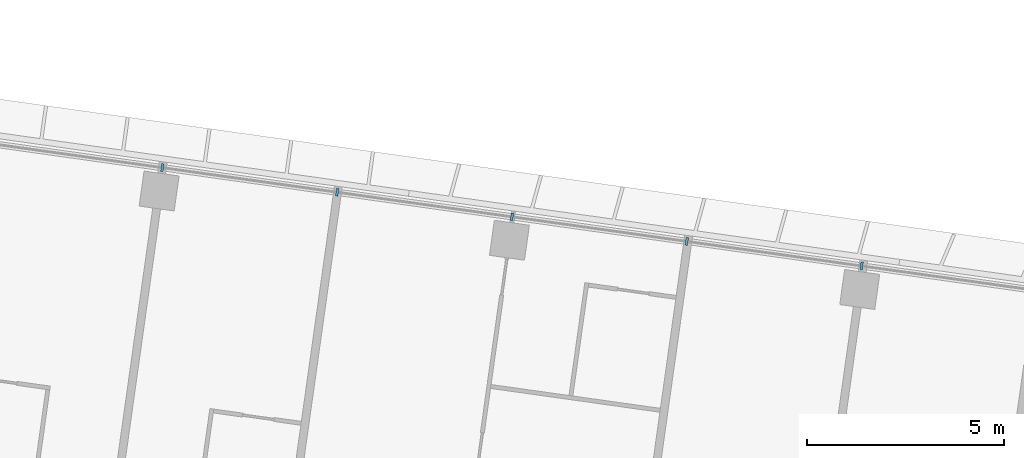
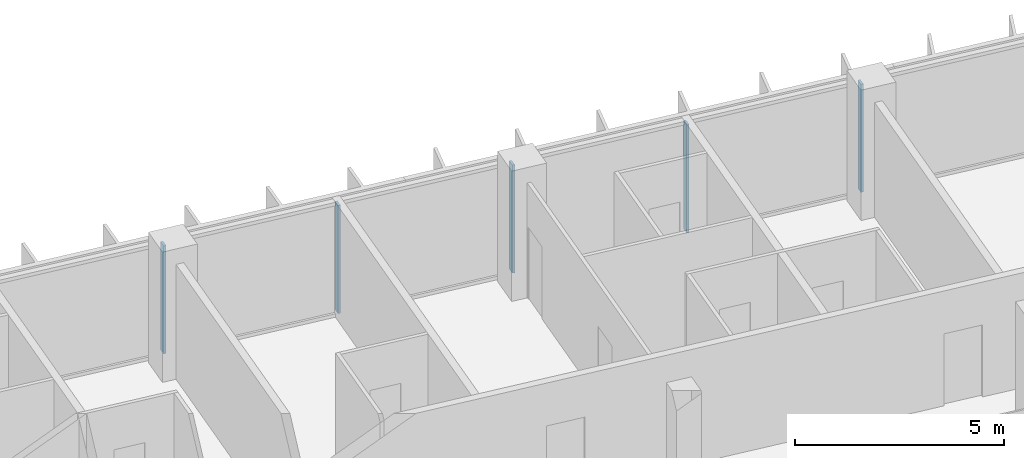
# One storey, part 5 of 26: 5 members, 1 element without a shape of its own.
"""IFC4 building model written with IfcOpenShell, lengths in metres."""

from ifc_helpers import new_model, si_unit, direction, frame, origin, origin_2d, place, context, subcontext, project, spatial, rectangle, extrude, material, material_profile, profile_set, type_object, element, aggregate, save


model = new_model("IFC4")

# Units and contexts
model_context = context("Model", 3, precision=1e-05, world=origin(), true_north=direction((0.0, 1.0)))
body_context = subcontext(model_context, "Body", "Model", "MODEL_VIEW")
ifc_project = project(units=[si_unit("LENGTHUNIT", "METRE"), si_unit("AREAUNIT", "SQUARE_METRE"), si_unit("VOLUMEUNIT", "CUBIC_METRE"), si_unit("PLANEANGLEUNIT", "RADIAN"), si_unit("MASSUNIT", "GRAM", prefix="KILO")], contexts=[model_context])

# Site, building, storey
site_placement = place(None, origin())
site = spatial("IfcSite", under=ifc_project, at=site_placement, CompositionType="ELEMENT")
building_placement = place(site_placement, origin())
building = spatial("IfcBuilding", under=site, at=building_placement, Name="Mirante Cascada Hotel Towers", CompositionType="ELEMENT")
storey_placement = place(building_placement, frame((0.0, 0.0, 140.5)))
storey = spatial("IfcBuildingStorey", under=building, at=storey_placement, Name="L32", CompositionType="ELEMENT", Elevation=140.5)

# Curtain wall, members
ifc_material_1 = material(Name="Aluminium mullion and transom frame with clear laminated glass", Category="aluminium")
curtain_wall_type = type_object("IfcCurtainWallType", Name="Ribbon curtain wall ECW1", PredefinedType="NOTDEFINED", material=ifc_material_1)
curtain_wall_placement = place(storey_placement, origin())
curtain_wall = element("IfcCurtainWall", 1, at=curtain_wall_placement, inside=storey, type_object=curtain_wall_type, Name="Front ribbon wall T1 L32", PredefinedType="NOTDEFINED")
ifc_material_2 = material(Name="Anodised aluminium extrusion", Category="aluminium")
ifc_material_profile = material_profile(ifc_material_2, rectangle(XDim=0.2, YDim=0.065, at=origin_2d()), Name="ECW1 MULLION 65x200")
ifc_profile_set = profile_set([ifc_material_profile], Name="Anodised aluminium extrusion")
member_type = type_object("IfcMemberType", Name="ECW1 mullion 65x200", PredefinedType="MULLION", material=ifc_profile_set)
member_1_placement = place(storey_placement, frame((-63.0262, 21.6768, 0.1), z_axis=(0.0, 0.0, 1.0), x_axis=(0.1391731, 0.9902681, 0.0)))
member_1 = element("IfcMember", 2, at=member_1_placement, type_object=member_type, Name="ECW1 mullion 8", PredefinedType="MULLION", context=body_context, shape_type="SweptSolid", body=[
    extrude(rectangle(XDim=0.2, YDim=0.065, at=origin_2d()), origin(), (0.0, 0.0, 1.0), 3.15),
])
member_2_placement = place(storey_placement, frame((-58.5788, 21.0517, 0.1), z_axis=(0.0, 0.0, 1.0), x_axis=(0.1391731, 0.9902681, 0.0)))
member_2 = element("IfcMember", 3, at=member_2_placement, type_object=member_type, Name="ECW1 mullion 9", PredefinedType="MULLION", context=body_context, shape_type="SweptSolid", body=[
    extrude(rectangle(XDim=0.2, YDim=0.065, at=origin_2d()), origin(), (0.0, 0.0, 1.0), 3.15),
])
member_3_placement = place(storey_placement, frame((-54.1314, 20.4267, 0.1), z_axis=(0.0, 0.0, 1.0), x_axis=(0.1391731, 0.9902681, 0.0)))
member_3 = element("IfcMember", 4, at=member_3_placement, type_object=member_type, Name="ECW1 mullion 10", PredefinedType="MULLION", context=body_context, shape_type="SweptSolid", body=[
    extrude(rectangle(XDim=0.2, YDim=0.065, at=origin_2d()), origin(), (0.0, 0.0, 1.0), 3.15),
])
member_4_placement = place(storey_placement, frame((-49.684, 19.8017, 0.1), z_axis=(0.0, 0.0, 1.0), x_axis=(0.1391731, 0.9902681, 0.0)))
member_4 = element("IfcMember", 5, at=member_4_placement, type_object=member_type, Name="ECW1 mullion 11", PredefinedType="MULLION", context=body_context, shape_type="SweptSolid", body=[
    extrude(rectangle(XDim=0.2, YDim=0.065, at=origin_2d()), origin(), (0.0, 0.0, 1.0), 3.15),
])
member_5_placement = place(storey_placement, frame((-45.2366, 19.1766, 0.1), z_axis=(0.0, 0.0, 1.0), x_axis=(0.1391731, 0.9902681, 0.0)))
member_5 = element("IfcMember", 6, at=member_5_placement, type_object=member_type, Name="ECW1 mullion 12", PredefinedType="MULLION", context=body_context, shape_type="SweptSolid", body=[
    extrude(rectangle(XDim=0.2, YDim=0.065, at=origin_2d()), origin(), (0.0, 0.0, 1.0), 3.15),
])
aggregate(curtain_wall, [member_1, member_2, member_3, member_4, member_5])

save(model, "model.ifc")
